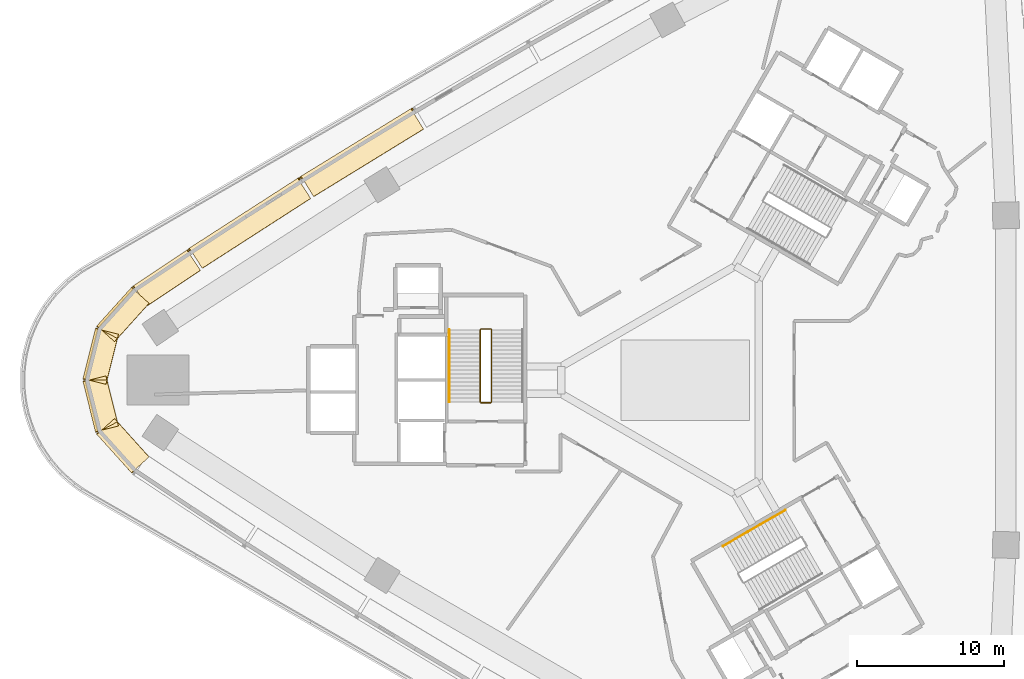
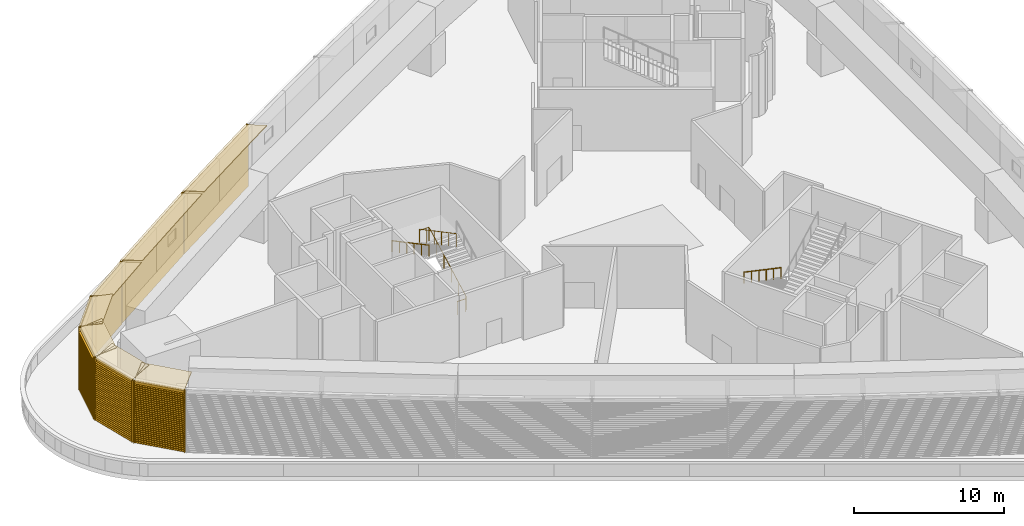
# One storey, part 9 of 11: 14 coverings, 3 railings.
"""IFC4 building model written with IfcOpenShell, lengths in metres."""

import ifcopenshell
import ifcopenshell.guid

model = None  # the IFC model being written
_history = None  # IfcOwnerHistory: only IFC2X3 demands one
_inside = {}  # id of a spatial element -> (the spatial element, [elements in it])
_under = {}  # id of a project, library or spatial element -> (it, [spatial elements below it])
_declared = {}  # id of a project -> (the project, [libraries it declares])
_typed = {}  # id of a type object -> (the type object, [elements of that type])
_made_of = {}  # id of a material, layer set ... -> (it, [elements and type objects made of it])


def new_model(schema):
    """Start an empty IFC model of exactly this schema.

    Asked for "IFC4X3", IfcOpenShell would pick the latest addendum, in which some entities
    have other attributes; the version numbers below select the first issue.
    IFC2X3 requires an IfcOwnerHistory on every rooted entity: one is made here for all.
    """
    global model, _history
    if schema == "IFC4X3":
        model = ifcopenshell.file(schema_version=(4, 3, 0, 0))
    else:
        model = ifcopenshell.file(schema=schema)
    _inside.clear()
    _under.clear()
    _declared.clear()
    _typed.clear()
    _made_of.clear()
    _history = None
    if model.schema == "IFC2X3":
        org = make("IfcOrganization", Name="unknown")
        user = make(
            "IfcPersonAndOrganization",
            ThePerson=make("IfcPerson", FamilyName="unknown"),
            TheOrganization=org,
        )
        app = make(
            "IfcApplication",
            ApplicationDeveloper=org,
            Version="unknown",
            ApplicationFullName="unknown",
            ApplicationIdentifier="unknown",
        )
        _history = make(
            "IfcOwnerHistory",
            OwningUser=user,
            OwningApplication=app,
            ChangeAction="ADDED",
            CreationDate=0,
        )
    return model


def make(cls, **values):
    """One entity of the class cls with the attributes given. An attribute that is None is left unset."""
    return model.create_entity(
        cls, **{name: value for name, value in values.items() if value is not None}
    )


def rooted(cls, **values):
    """An entity with a GlobalId (a new one), such as an element, a storey or a relation."""
    return make(cls, GlobalId=ifcopenshell.guid.new(), OwnerHistory=_history, **values)


def si_unit(unit_type, name, prefix=None):
    """IfcSIUnit, for example si_unit("LENGTHUNIT", "METRE", prefix="MILLI")."""
    return make("IfcSIUnit", UnitType=unit_type, Prefix=prefix, Name=name)


def assignment(units):
    """IfcUnitAssignment: the units of a project."""
    return None if units is None else make("IfcUnitAssignment", Units=units)


def point(xyz):
    """IfcCartesianPoint."""
    return None if xyz is None else make("IfcCartesianPoint", Coordinates=xyz)


def direction(xyz):
    """IfcDirection."""
    return None if xyz is None else make("IfcDirection", DirectionRatios=xyz)


def frame(location, z_axis=None, x_axis=None):
    """IfcAxis2Placement3D, a coordinate frame: its origin and axes. An axis left out is left unset."""
    return make(
        "IfcAxis2Placement3D",
        Location=point(location),
        Axis=direction(z_axis),
        RefDirection=direction(x_axis),
    )


def frame_2d(location, x_axis=None):
    """IfcAxis2Placement2D, a coordinate frame in the plane: its origin and x axis."""
    return make(
        "IfcAxis2Placement2D", Location=point(location), RefDirection=direction(x_axis)
    )


def origin():
    """The frame at (0, 0, 0) with its axes left unset."""
    return frame((0.0, 0.0, 0.0))


def origin_2d():
    """The frame at (0, 0) in the plane with its x axis left unset."""
    return frame_2d((0.0, 0.0))


def place(relative_to, where):
    """IfcLocalPlacement: puts the frame where relative to a parent placement (None: the world)."""
    return make(
        "IfcLocalPlacement", PlacementRelTo=relative_to, RelativePlacement=where
    )


def context(
    kind, dimensions, precision=None, world=None, true_north=None, identifier=None
):
    """IfcGeometricRepresentationContext, for example the 3D "Model" context."""
    return make(
        "IfcGeometricRepresentationContext",
        ContextIdentifier=identifier,
        ContextType=kind,
        CoordinateSpaceDimension=dimensions,
        Precision=precision,
        WorldCoordinateSystem=world,
        TrueNorth=true_north,
    )


def subcontext(parent, identifier, kind, view, scale=None):
    """IfcGeometricRepresentationSubContext, for example "Body" below "Model"."""
    return make(
        "IfcGeometricRepresentationSubContext",
        ContextIdentifier=identifier,
        ContextType=kind,
        ParentContext=parent,
        TargetScale=scale,
        TargetView=view,
    )


def project(units=None, contexts=None):
    """IfcProject with its units and contexts."""
    return rooted(
        "IfcProject",
        Name="project",
        RepresentationContexts=contexts,
        UnitsInContext=assignment(units),
    )


def spatial(cls, under=None, at=None, **own):
    """A site, building, storey or space (cls), placed at a placement, below another one or the project."""
    s = rooted(cls, ObjectPlacement=at, **own)
    if under is not None:
        _under.setdefault(under.id(), (under, []))[1].append(s)
    return s


def profile(cls, at=None, kind="AREA", **sizes):
    """A parametric profile (cls). Its sizes go by their IFC names, for example OverallWidth=200.0."""
    return make(cls, ProfileType=kind, Position=at, **sizes)


def rectangle(**sizes):
    """IfcRectangleProfileDef."""
    return profile("IfcRectangleProfileDef", **sizes)


def circle(**sizes):
    """IfcCircleProfileDef."""
    return profile("IfcCircleProfileDef", **sizes)


def extrude(swept, where, along, depth):
    """IfcExtrudedAreaSolid: the profile swept, set in the frame where, extruded along a direction by depth."""
    return make(
        "IfcExtrudedAreaSolid",
        SweptArea=swept,
        Position=where,
        ExtrudedDirection=direction(along),
        Depth=depth,
    )


def shape(context_of_items, identifier, shape_type, items):
    """IfcShapeRepresentation: the items that make up one representation, for example the "Body"."""
    return make(
        "IfcShapeRepresentation",
        ContextOfItems=context_of_items,
        RepresentationIdentifier=identifier,
        RepresentationType=shape_type,
        Items=items,
    )


def source(mapping_origin, context_of_items, identifier, shape_type, items):
    """IfcRepresentationMap: a shape defined once, which mapped items show again and again."""
    return make(
        "IfcRepresentationMap",
        MappingOrigin=mapping_origin,
        MappedRepresentation=shape(context_of_items, identifier, shape_type, items),
    )


def transform(
    local_origin,
    x_axis=None,
    y_axis=None,
    z_axis=None,
    scale=None,
    scale2=None,
    scale3=None,
    uniform=True,
):
    """IfcCartesianTransformationOperator3D, or its non-uniform kind. x_axis, y_axis, z_axis: its Axis1, 2, 3."""
    if uniform:
        return make(
            "IfcCartesianTransformationOperator3D",
            Axis1=direction(x_axis),
            Axis2=direction(y_axis),
            LocalOrigin=point(local_origin),
            Scale=scale,
            Axis3=direction(z_axis),
        )
    return make(
        "IfcCartesianTransformationOperator3DnonUniform",
        Axis1=direction(x_axis),
        Axis2=direction(y_axis),
        LocalOrigin=point(local_origin),
        Scale=scale,
        Axis3=direction(z_axis),
        Scale2=scale2,
        Scale3=scale3,
    )


def mapped(mapping_source, mapping_target):
    """IfcMappedItem: shows the shape of a source again, moved by a transform."""
    return make(
        "IfcMappedItem", MappingSource=mapping_source, MappingTarget=mapping_target
    )


def material(Name=None, Category=None):
    """IfcMaterial."""
    return make("IfcMaterial", Name=Name, Category=Category)


def layer(
    of_material, thickness, ventilated=None, Name=None, Category=None, Priority=None
):
    """IfcMaterialLayer: one layer of a wall or slab, of a material (None: an air gap)."""
    return make(
        "IfcMaterialLayer",
        Material=of_material,
        LayerThickness=thickness,
        IsVentilated=ventilated,
        Name=Name,
        Category=Category,
        Priority=Priority,
    )


def layer_set(layers, Name=None):
    """IfcMaterialLayerSet."""
    return make("IfcMaterialLayerSet", MaterialLayers=layers, LayerSetName=Name)


def made_of(thing, what):
    """Note that an element or type object is made of a material, layer set ...; save() writes the relation."""
    if what is not None:
        _made_of.setdefault(what.id(), (what, []))[1].append(thing)
    return thing


def type_object(cls, material=None, **own):
    """A type object (cls), such as IfcWallType, which elements share."""
    return made_of(rooted(cls, **own), material)


def element(
    cls,
    number,
    at=None,
    inside=None,
    cuts=None,
    type_object=None,
    material=None,
    context=None,
    identifier="Body",
    shape_type=None,
    held_by="IfcProductDefinitionShape",
    body=None,
    shapes=None,
    **own,
):
    """One element of the class cls, such as IfcWall. Its Tag is "e" and its number.

    at: its placement. inside: the storey or other place that contains it. cuts: it is an
    opening in that element (IfcRelVoidsElement). A single representation is given by context,
    identifier, shape_type and body (its items); several are given by shapes. held_by: the class
    of the entity that holds the representations. save() writes the other relations.
    """
    e = rooted(cls, Tag="e%d" % number, ObjectPlacement=at, **own)
    if body is not None:
        shapes = [shape(context, identifier, shape_type, body)]
    if shapes is not None:
        e.Representation = make(held_by, Representations=shapes)
    if inside is not None:
        _inside.setdefault(inside.id(), (inside, []))[1].append(e)
    if cuts is not None:
        rooted(
            "IfcRelVoidsElement", RelatingBuildingElement=cuts, RelatedOpeningElement=e
        )
    if type_object is not None:
        _typed.setdefault(type_object.id(), (type_object, []))[1].append(e)
    return made_of(e, material)


def aggregate(whole, parts):
    """IfcRelAggregates: a whole, such as a stair, and the parts it consists of."""
    return rooted("IfcRelAggregates", RelatingObject=whole, RelatedObjects=parts)


def save(model, path):
    """Write the relations noted so far, then the file.

    IfcRelAggregates (storeys below a building ...), IfcRelContainedInSpatialStructure (elements
    in a storey), IfcRelDefinesByType, IfcRelAssociatesMaterial and IfcRelDeclares: one each for
    every whole, place, type object, material and project.
    """
    for whole, parts in _under.values():
        aggregate(whole, parts)
    for where, things in _inside.values():
        rooted(
            "IfcRelContainedInSpatialStructure",
            RelatedElements=things,
            RelatingStructure=where,
        )
    for kind, things in _typed.values():
        rooted("IfcRelDefinesByType", RelatedObjects=things, RelatingType=kind)
    for what, things in _made_of.values():
        rooted("IfcRelAssociatesMaterial", RelatedObjects=things, RelatingMaterial=what)
    for by, libraries in _declared.values():
        rooted("IfcRelDeclares", RelatingContext=by, RelatedDefinitions=libraries)
    model.write(path)


model = new_model("IFC4")

# Units and contexts
model_context = context("Model", 3, precision=1e-05, world=origin(), true_north=direction((0.0, 1.0)))
body_context = subcontext(model_context, "Body", "Model", "MODEL_VIEW")
ifc_project = project(units=[si_unit("LENGTHUNIT", "METRE"), si_unit("AREAUNIT", "SQUARE_METRE"), si_unit("VOLUMEUNIT", "CUBIC_METRE"), si_unit("PLANEANGLEUNIT", "RADIAN"), si_unit("MASSUNIT", "GRAM", prefix="KILO")], contexts=[model_context])

# Site, building, storey
site_placement = place(None, origin())
site = spatial("IfcSite", under=ifc_project, at=site_placement, CompositionType="ELEMENT")
building_placement = place(site_placement, origin())
building = spatial("IfcBuilding", under=site, at=building_placement, Name="Tamra Quay Hotel Tower", CompositionType="ELEMENT")
storey_placement = place(building_placement, frame((0.0, 0.0, 29.5)))
storey = spatial("IfcBuildingStorey", under=building, at=storey_placement, Name="L05", CompositionType="ELEMENT", Elevation=29.5)

# Railings
ifc_material_1 = material(Name="Stair guard 1100")
railing_type_1 = type_object("IfcRailingType", Name="Stair guard 1100", PredefinedType="GUARDRAIL", material=ifc_material_1)
railing_1_placement = place(storey_placement, frame((-13.84130859375, -1.530029296875, 0.0)))
element("IfcRailing", 1, at=railing_1_placement, inside=storey, type_object=railing_type_1, Name="GR", PredefinedType="GUARDRAIL", context=body_context, shape_type="SweptSolid", body=[
    extrude(circle(Radius=0.02392578125, at=origin_2d()), frame((0.0, 0.0, 1.076171875), z_axis=(1.0, 0.0, 0.0), x_axis=(0.0, 1.0, 0.0)), (0.0, 0.0, 1.0), 0.658935546875),
    extrude(circle(Radius=0.02392578125, at=origin_2d()), frame((0.658935546875, 0.0, 1.076171875), z_axis=(0.310570770478, 0.310570770478, 0.898382765334), x_axis=(-0.707106781187, 0.707106781187, 0.0)), (0.0, 0.0, 1.0), 0.1611328125),
    extrude(circle(Radius=0.02392578125, at=origin_2d()), frame((0.708984375, 0.050048828125, 1.220703125), z_axis=(0.0, 0.882799760864, 0.469749488789), x_axis=(-1.0, 0.0, 0.0)), (0.0, 0.0, 1.0), 5.5458984375),
    extrude(circle(Radius=0.02392578125, at=origin_2d()), frame((0.708984375, 4.946044921875, 3.826171875), z_axis=(-0.708833529934, 0.705375805398, 0.0), x_axis=(-0.705375805398, -0.708833529934, 0.0)), (0.0, 0.0, 1.0), 0.070556640625),
    extrude(circle(Radius=0.02392578125, at=origin_2d()), frame((0.658935546875, 4.995849609375, 3.826171875), z_axis=(-1.0, 0.0, 0.0), x_axis=(0.0, -1.0, 0.0)), (0.0, 0.0, 1.0), 0.658935546875),
    extrude(circle(Radius=0.02392578125, at=origin_2d()), frame((0.0, 4.995849609375, 3.826171875), z_axis=(-0.310716642909, -0.309200951968, 0.898804728026), x_axis=(0.705375805398, -0.708833529934, 0.0)), (0.0, 0.0, 1.0), 0.1611328125),
    extrude(circle(Radius=0.02392578125, at=origin_2d()), frame((-0.050048828125, 4.946044921875, 3.970703125), z_axis=(0.0, -0.882799760864, 0.469749488789), x_axis=(1.0, 0.0, 0.0)), (0.0, 0.0, 1.0), 5.5458984375),
    extrude(circle(Radius=0.02099609375, at=origin_2d()), origin(), (0.0, 0.0, 1.0), 1.052001953125),
    extrude(circle(Radius=0.02099609375, at=origin_2d()), frame((0.658935546875, 0.0, 0.0)), (0.0, 0.0, 1.0), 1.052001953125),
    extrude(circle(Radius=0.02099609375, at=origin_2d()), frame((0.708984375, 0.050048828125, 0.144775390625)), (0.0, 0.0, 1.0), 1.052001953125),
    extrude(circle(Radius=0.02099609375, at=origin_2d()), frame((0.708984375, 1.029296875, 0.665771484375)), (0.0, 0.0, 1.0), 1.052001953125),
    extrude(circle(Radius=0.02099609375, at=origin_2d()), frame((0.708984375, 2.008544921875, 1.186767578125)), (0.0, 0.0, 1.0), 1.052001953125),
    extrude(circle(Radius=0.02099609375, at=origin_2d()), frame((0.708984375, 2.987548828125, 1.7080078125)), (0.0, 0.0, 1.0), 1.052001953125),
    extrude(circle(Radius=0.02099609375, at=origin_2d()), frame((0.708984375, 3.966796875, 2.22900390625)), (0.0, 0.0, 1.0), 1.052001953125),
    extrude(circle(Radius=0.02099609375, at=origin_2d()), frame((0.708984375, 4.946044921875, 2.75)), (0.0, 0.0, 1.0), 1.052001953125),
    extrude(circle(Radius=0.02099609375, at=origin_2d()), frame((0.658935546875, 4.995849609375, 2.75)), (0.0, 0.0, 1.0), 1.052001953125),
    extrude(circle(Radius=0.02099609375, at=origin_2d()), frame((0.0, 4.995849609375, 2.75)), (0.0, 0.0, 1.0), 1.052001953125),
    extrude(circle(Radius=0.02099609375, at=origin_2d()), frame((-0.050048828125, 4.946044921875, 2.894775390625)), (0.0, 0.0, 1.0), 1.052001953125),
    extrude(circle(Radius=0.02099609375, at=origin_2d()), frame((-0.050048828125, 3.966796875, 3.415771484375)), (0.0, 0.0, 1.0), 1.052001953125),
    extrude(circle(Radius=0.02099609375, at=origin_2d()), frame((-0.050048828125, 2.987548828125, 3.936767578125)), (0.0, 0.0, 1.0), 1.052001953125),
    extrude(circle(Radius=0.02099609375, at=origin_2d()), frame((-0.050048828125, 2.008544921875, 4.4580078125)), (0.0, 0.0, 1.0), 1.052001953125),
    extrude(circle(Radius=0.02099609375, at=origin_2d()), frame((-0.050048828125, 1.029296875, 4.97900390625)), (0.0, 0.0, 1.0), 1.052001953125),
    extrude(circle(Radius=0.02099609375, at=origin_2d()), frame((-0.050048828125, 0.050048828125, 5.5)), (0.0, 0.0, 1.0), 1.052001953125),
])
ifc_material_2 = material(Name="Stair handrail 900")
railing_type_2 = type_object("IfcRailingType", Name="Stair handrail 900", PredefinedType="HANDRAIL", material=ifc_material_2)
railing_2_placement = place(storey_placement, frame((-15.9912109375, 3.416015625, 2.894775390625)))
element("IfcRailing", 2, at=railing_2_placement, inside=storey, type_object=railing_type_2, Name="HR", PredefinedType="HANDRAIL", context=body_context, shape_type="SweptSolid", body=[
    extrude(circle(Radius=0.02392578125, at=origin_2d()), frame((0.0, 0.0, 0.8759765625), z_axis=(0.0, -0.882799760864, 0.469749488789), x_axis=(1.0, 0.0, 0.0)), (0.0, 0.0, 1.0), 5.5458984375),
    extrude(circle(Radius=0.02099609375, at=origin_2d()), origin(), (0.0, 0.0, 1.0), 0.851806640625),
    extrude(circle(Radius=0.02099609375, at=origin_2d()), frame((0.0, -0.979248046875, 0.52099609375)), (0.0, 0.0, 1.0), 0.851806640625),
    extrude(circle(Radius=0.02099609375, at=origin_2d()), frame((0.0, -1.95849609375, 1.0419921875)), (0.0, 0.0, 1.0), 0.851806640625),
    extrude(circle(Radius=0.02099609375, at=origin_2d()), frame((0.0, -2.9375, 1.563232421875)), (0.0, 0.0, 1.0), 0.851806640625),
    extrude(circle(Radius=0.02099609375, at=origin_2d()), frame((0.0, -3.916748046875, 2.084228515625)), (0.0, 0.0, 1.0), 0.851806640625),
    extrude(circle(Radius=0.02099609375, at=origin_2d()), frame((0.0, -4.89599609375, 2.605224609375)), (0.0, 0.0, 1.0), 0.851806640625),
])
railing_3_placement = place(storey_placement, frame((6.7978515625, -8.814208984375, 0.144775390625)))
element("IfcRailing", 3, at=railing_3_placement, inside=storey, type_object=railing_type_2, Name="HR", PredefinedType="HANDRAIL", context=body_context, shape_type="SweptSolid", body=[
    extrude(circle(Radius=0.02392578125, at=origin_2d()), frame((0.0, 0.0, 0.8759765625), z_axis=(-0.764522017745, -0.441403942646, 0.469753811905), x_axis=(0.500005904428, -0.866021994834, 0.0)), (0.0, 0.0, 1.0), 5.5458984375),
    extrude(circle(Radius=0.02099609375, at=origin_2d()), origin(), (0.0, 0.0, 1.0), 0.851806640625),
    extrude(circle(Radius=0.02099609375, at=origin_2d()), frame((-0.847900390625, -0.489501953125, 0.52099609375)), (0.0, 0.0, 1.0), 0.851806640625),
    extrude(circle(Radius=0.02099609375, at=origin_2d()), frame((-1.696044921875, -0.979248046875, 1.0419921875)), (0.0, 0.0, 1.0), 0.851806640625),
    extrude(circle(Radius=0.02099609375, at=origin_2d()), frame((-2.5439453125, -1.46875, 1.563232421875)), (0.0, 0.0, 1.0), 0.851806640625),
    extrude(circle(Radius=0.02099609375, at=origin_2d()), frame((-3.39208984375, -1.95849609375, 2.084228515625)), (0.0, 0.0, 1.0), 0.851806640625),
    extrude(circle(Radius=0.02099609375, at=origin_2d()), frame((-4.239990234375, -2.447998046875, 2.605224609375)), (0.0, 0.0, 1.0), 0.851806640625),
])

# Coverings
ifc_material_3 = material(Name="Terracotta louvre panel", Category="masonry")
covering_type_1 = type_object("IfcCoveringType", Name="PLANT LOUVRE H5025", PredefinedType="USERDEFINED", material=ifc_material_3)
shared_shape_1 = source(origin(), body_context, "Body", "SweptSolid", [
    extrude(rectangle(XDim=8.97998046875, YDim=0.030029296875, at=frame_2d((4.489990234375, 0.01513671875))), frame((-4.489990234375, -0.030029296875, 0.0)), (0.0, 0.0, 1.0), 5.02490234375),
    extrude(rectangle(XDim=0.050048828125, YDim=0.139892578125, at=frame_2d((0.02490234375, 0.06982421875))), frame((-4.489990234375, -0.169921875, 0.0)), (0.0, 0.0, 1.0), 5.02490234375),
    extrude(rectangle(XDim=0.050048828125, YDim=0.139892578125, at=frame_2d((0.02490234375, 0.06982421875))), frame((4.43994140625, -0.169921875, 0.0)), (0.0, 0.0, 1.0), 5.02490234375),
    extrude(rectangle(XDim=8.8798828125, YDim=0.139892578125, at=frame_2d((4.43994140625, 0.06982421875))), frame((-4.43994140625, -0.169921875, 0.050048828125)), (0.0, 0.0, 1.0), 0.034912109375),
    extrude(rectangle(XDim=8.8798828125, YDim=0.139892578125, at=frame_2d((4.43994140625, 0.06982421875))), frame((-4.43994140625, -0.169921875, 0.2099609375)), (0.0, 0.0, 1.0), 0.034912109375),
    extrude(rectangle(XDim=8.8798828125, YDim=0.139892578125, at=frame_2d((4.43994140625, 0.06982421875))), frame((-4.43994140625, -0.169921875, 0.3701171875)), (0.0, 0.0, 1.0), 0.034912109375),
    extrude(rectangle(XDim=8.8798828125, YDim=0.139892578125, at=frame_2d((4.43994140625, 0.06982421875))), frame((-4.43994140625, -0.169921875, 0.530029296875)), (0.0, 0.0, 1.0), 0.034912109375),
    extrude(rectangle(XDim=8.8798828125, YDim=0.139892578125, at=frame_2d((4.43994140625, 0.06982421875))), frame((-4.43994140625, -0.169921875, 0.68994140625)), (0.0, 0.0, 1.0), 0.034912109375),
    extrude(rectangle(XDim=8.8798828125, YDim=0.139892578125, at=frame_2d((4.43994140625, 0.06982421875))), frame((-4.43994140625, -0.169921875, 0.85009765625)), (0.0, 0.0, 1.0), 0.034912109375),
    extrude(rectangle(XDim=8.8798828125, YDim=0.139892578125, at=frame_2d((4.43994140625, 0.06982421875))), frame((-4.43994140625, -0.169921875, 1.010009765625)), (0.0, 0.0, 1.0), 0.034912109375),
    extrude(rectangle(XDim=8.8798828125, YDim=0.139892578125, at=frame_2d((4.43994140625, 0.06982421875))), frame((-4.43994140625, -0.169921875, 1.169921875)), (0.0, 0.0, 1.0), 0.034912109375),
    extrude(rectangle(XDim=8.8798828125, YDim=0.139892578125, at=frame_2d((4.43994140625, 0.06982421875))), frame((-4.43994140625, -0.169921875, 1.330078125)), (0.0, 0.0, 1.0), 0.034912109375),
    extrude(rectangle(XDim=8.8798828125, YDim=0.139892578125, at=frame_2d((4.43994140625, 0.06982421875))), frame((-4.43994140625, -0.169921875, 1.489990234375)), (0.0, 0.0, 1.0), 0.034912109375),
    extrude(rectangle(XDim=8.8798828125, YDim=0.139892578125, at=frame_2d((4.43994140625, 0.06982421875))), frame((-4.43994140625, -0.169921875, 1.64990234375)), (0.0, 0.0, 1.0), 0.034912109375),
    extrude(rectangle(XDim=8.8798828125, YDim=0.139892578125, at=frame_2d((4.43994140625, 0.06982421875))), frame((-4.43994140625, -0.169921875, 1.81005859375)), (0.0, 0.0, 1.0), 0.034912109375),
    extrude(rectangle(XDim=8.8798828125, YDim=0.139892578125, at=frame_2d((4.43994140625, 0.06982421875))), frame((-4.43994140625, -0.169921875, 1.969970703125)), (0.0, 0.0, 1.0), 0.034912109375),
    extrude(rectangle(XDim=8.8798828125, YDim=0.139892578125, at=frame_2d((4.43994140625, 0.06982421875))), frame((-4.43994140625, -0.169921875, 2.1298828125)), (0.0, 0.0, 1.0), 0.034912109375),
    extrude(rectangle(XDim=8.8798828125, YDim=0.139892578125, at=frame_2d((4.43994140625, 0.06982421875))), frame((-4.43994140625, -0.169921875, 2.2900390625)), (0.0, 0.0, 1.0), 0.034912109375),
    extrude(rectangle(XDim=8.8798828125, YDim=0.139892578125, at=frame_2d((4.43994140625, 0.06982421875))), frame((-4.43994140625, -0.169921875, 2.449951171875)), (0.0, 0.0, 1.0), 0.034912109375),
    extrude(rectangle(XDim=8.8798828125, YDim=0.139892578125, at=frame_2d((4.43994140625, 0.06982421875))), frame((-4.43994140625, -0.169921875, 2.610107421875)), (0.0, 0.0, 1.0), 0.034912109375),
    extrude(rectangle(XDim=8.8798828125, YDim=0.139892578125, at=frame_2d((4.43994140625, 0.06982421875))), frame((-4.43994140625, -0.169921875, 2.77001953125)), (0.0, 0.0, 1.0), 0.034912109375),
    extrude(rectangle(XDim=8.8798828125, YDim=0.139892578125, at=frame_2d((4.43994140625, 0.06982421875))), frame((-4.43994140625, -0.169921875, 2.929931640625)), (0.0, 0.0, 1.0), 0.034912109375),
    extrude(rectangle(XDim=8.8798828125, YDim=0.139892578125, at=frame_2d((4.43994140625, 0.06982421875))), frame((-4.43994140625, -0.169921875, 3.090087890625)), (0.0, 0.0, 1.0), 0.034912109375),
    extrude(rectangle(XDim=8.8798828125, YDim=0.139892578125, at=frame_2d((4.43994140625, 0.06982421875))), frame((-4.43994140625, -0.169921875, 3.25)), (0.0, 0.0, 1.0), 0.034912109375),
    extrude(rectangle(XDim=8.8798828125, YDim=0.139892578125, at=frame_2d((4.43994140625, 0.06982421875))), frame((-4.43994140625, -0.169921875, 3.409912109375)), (0.0, 0.0, 1.0), 0.034912109375),
    extrude(rectangle(XDim=8.8798828125, YDim=0.139892578125, at=frame_2d((4.43994140625, 0.06982421875))), frame((-4.43994140625, -0.169921875, 3.570068359375)), (0.0, 0.0, 1.0), 0.034912109375),
    extrude(rectangle(XDim=8.8798828125, YDim=0.139892578125, at=frame_2d((4.43994140625, 0.06982421875))), frame((-4.43994140625, -0.169921875, 3.72998046875)), (0.0, 0.0, 1.0), 0.034912109375),
    extrude(rectangle(XDim=8.8798828125, YDim=0.139892578125, at=frame_2d((4.43994140625, 0.06982421875))), frame((-4.43994140625, -0.169921875, 3.889892578125)), (0.0, 0.0, 1.0), 0.034912109375),
    extrude(rectangle(XDim=8.8798828125, YDim=0.139892578125, at=frame_2d((4.43994140625, 0.06982421875))), frame((-4.43994140625, -0.169921875, 4.050048828125)), (0.0, 0.0, 1.0), 0.034912109375),
    extrude(rectangle(XDim=8.8798828125, YDim=0.139892578125, at=frame_2d((4.43994140625, 0.06982421875))), frame((-4.43994140625, -0.169921875, 4.2099609375)), (0.0, 0.0, 1.0), 0.034912109375),
    extrude(rectangle(XDim=8.8798828125, YDim=0.139892578125, at=frame_2d((4.43994140625, 0.06982421875))), frame((-4.43994140625, -0.169921875, 4.3701171875)), (0.0, 0.0, 1.0), 0.034912109375),
    extrude(rectangle(XDim=8.8798828125, YDim=0.139892578125, at=frame_2d((4.43994140625, 0.06982421875))), frame((-4.43994140625, -0.169921875, 4.530029296875)), (0.0, 0.0, 1.0), 0.034912109375),
    extrude(rectangle(XDim=8.8798828125, YDim=0.139892578125, at=frame_2d((4.43994140625, 0.06982421875))), frame((-4.43994140625, -0.169921875, 4.68994140625)), (0.0, 0.0, 1.0), 0.034912109375),
])
for number, where, z_axis, x_axis, name in (
    (4, (-22.225830078125, 15.975341796875, 0.0), (0.0, 0.0, 1.0), (-0.852175578146, -0.523255945032, 0.0), "Plant louvre L05.NW.f08"),
    (5, (-29.85302734375, 11.177490234375, 0.0), (0.0, 0.0, 1.0), (-0.840661044643, -0.541561638246, 0.0), "Plant louvre L05.NW.f10"),
):
    element("IfcCovering", number, at=place(storey_placement, frame(where, z_axis=z_axis, x_axis=x_axis)), inside=storey, type_object=covering_type_1, Name=name, ObjectType="LOUVER", PredefinedType="USERDEFINED", context=body_context, shape_type="MappedRepresentation", body=[
        mapped(shared_shape_1, transform((0.0, 0.0, 0.0), scale=1.0)),
    ])
shared_shape_2 = source(origin(), body_context, "Body", "SweptSolid", [
    extrude(rectangle(XDim=4.47998046875, YDim=0.030029296875, at=frame_2d((2.239990234375, 0.01513671875))), frame((-2.239990234375, -0.030029296875, 0.0)), (0.0, 0.0, 1.0), 5.02490234375),
    extrude(rectangle(XDim=0.050048828125, YDim=0.139892578125, at=frame_2d((0.02490234375, 0.06982421875))), frame((-2.239990234375, -0.169921875, 0.0)), (0.0, 0.0, 1.0), 5.02490234375),
    extrude(rectangle(XDim=0.050048828125, YDim=0.139892578125, at=frame_2d((0.02490234375, 0.06982421875))), frame((2.18994140625, -0.169921875, 0.0)), (0.0, 0.0, 1.0), 5.02490234375),
    extrude(rectangle(XDim=4.3798828125, YDim=0.139892578125, at=frame_2d((2.18994140625, 0.06982421875))), frame((-2.18994140625, -0.169921875, 0.050048828125)), (0.0, 0.0, 1.0), 0.034912109375),
    extrude(rectangle(XDim=4.3798828125, YDim=0.139892578125, at=frame_2d((2.18994140625, 0.06982421875))), frame((-2.18994140625, -0.169921875, 0.2099609375)), (0.0, 0.0, 1.0), 0.034912109375),
    extrude(rectangle(XDim=4.3798828125, YDim=0.139892578125, at=frame_2d((2.18994140625, 0.06982421875))), frame((-2.18994140625, -0.169921875, 0.3701171875)), (0.0, 0.0, 1.0), 0.034912109375),
    extrude(rectangle(XDim=4.3798828125, YDim=0.139892578125, at=frame_2d((2.18994140625, 0.06982421875))), frame((-2.18994140625, -0.169921875, 0.530029296875)), (0.0, 0.0, 1.0), 0.034912109375),
    extrude(rectangle(XDim=4.3798828125, YDim=0.139892578125, at=frame_2d((2.18994140625, 0.06982421875))), frame((-2.18994140625, -0.169921875, 0.68994140625)), (0.0, 0.0, 1.0), 0.034912109375),
    extrude(rectangle(XDim=4.3798828125, YDim=0.139892578125, at=frame_2d((2.18994140625, 0.06982421875))), frame((-2.18994140625, -0.169921875, 0.85009765625)), (0.0, 0.0, 1.0), 0.034912109375),
    extrude(rectangle(XDim=4.3798828125, YDim=0.139892578125, at=frame_2d((2.18994140625, 0.06982421875))), frame((-2.18994140625, -0.169921875, 1.010009765625)), (0.0, 0.0, 1.0), 0.034912109375),
    extrude(rectangle(XDim=4.3798828125, YDim=0.139892578125, at=frame_2d((2.18994140625, 0.06982421875))), frame((-2.18994140625, -0.169921875, 1.169921875)), (0.0, 0.0, 1.0), 0.034912109375),
    extrude(rectangle(XDim=4.3798828125, YDim=0.139892578125, at=frame_2d((2.18994140625, 0.06982421875))), frame((-2.18994140625, -0.169921875, 1.330078125)), (0.0, 0.0, 1.0), 0.034912109375),
    extrude(rectangle(XDim=4.3798828125, YDim=0.139892578125, at=frame_2d((2.18994140625, 0.06982421875))), frame((-2.18994140625, -0.169921875, 1.489990234375)), (0.0, 0.0, 1.0), 0.034912109375),
    extrude(rectangle(XDim=4.3798828125, YDim=0.139892578125, at=frame_2d((2.18994140625, 0.06982421875))), frame((-2.18994140625, -0.169921875, 1.64990234375)), (0.0, 0.0, 1.0), 0.034912109375),
    extrude(rectangle(XDim=4.3798828125, YDim=0.139892578125, at=frame_2d((2.18994140625, 0.06982421875))), frame((-2.18994140625, -0.169921875, 1.81005859375)), (0.0, 0.0, 1.0), 0.034912109375),
    extrude(rectangle(XDim=4.3798828125, YDim=0.139892578125, at=frame_2d((2.18994140625, 0.06982421875))), frame((-2.18994140625, -0.169921875, 1.969970703125)), (0.0, 0.0, 1.0), 0.034912109375),
    extrude(rectangle(XDim=4.3798828125, YDim=0.139892578125, at=frame_2d((2.18994140625, 0.06982421875))), frame((-2.18994140625, -0.169921875, 2.1298828125)), (0.0, 0.0, 1.0), 0.034912109375),
    extrude(rectangle(XDim=4.3798828125, YDim=0.139892578125, at=frame_2d((2.18994140625, 0.06982421875))), frame((-2.18994140625, -0.169921875, 2.2900390625)), (0.0, 0.0, 1.0), 0.034912109375),
    extrude(rectangle(XDim=4.3798828125, YDim=0.139892578125, at=frame_2d((2.18994140625, 0.06982421875))), frame((-2.18994140625, -0.169921875, 2.449951171875)), (0.0, 0.0, 1.0), 0.034912109375),
    extrude(rectangle(XDim=4.3798828125, YDim=0.139892578125, at=frame_2d((2.18994140625, 0.06982421875))), frame((-2.18994140625, -0.169921875, 2.610107421875)), (0.0, 0.0, 1.0), 0.034912109375),
    extrude(rectangle(XDim=4.3798828125, YDim=0.139892578125, at=frame_2d((2.18994140625, 0.06982421875))), frame((-2.18994140625, -0.169921875, 2.77001953125)), (0.0, 0.0, 1.0), 0.034912109375),
    extrude(rectangle(XDim=4.3798828125, YDim=0.139892578125, at=frame_2d((2.18994140625, 0.06982421875))), frame((-2.18994140625, -0.169921875, 2.929931640625)), (0.0, 0.0, 1.0), 0.034912109375),
    extrude(rectangle(XDim=4.3798828125, YDim=0.139892578125, at=frame_2d((2.18994140625, 0.06982421875))), frame((-2.18994140625, -0.169921875, 3.090087890625)), (0.0, 0.0, 1.0), 0.034912109375),
    extrude(rectangle(XDim=4.3798828125, YDim=0.139892578125, at=frame_2d((2.18994140625, 0.06982421875))), frame((-2.18994140625, -0.169921875, 3.25)), (0.0, 0.0, 1.0), 0.034912109375),
    extrude(rectangle(XDim=4.3798828125, YDim=0.139892578125, at=frame_2d((2.18994140625, 0.06982421875))), frame((-2.18994140625, -0.169921875, 3.409912109375)), (0.0, 0.0, 1.0), 0.034912109375),
    extrude(rectangle(XDim=4.3798828125, YDim=0.139892578125, at=frame_2d((2.18994140625, 0.06982421875))), frame((-2.18994140625, -0.169921875, 3.570068359375)), (0.0, 0.0, 1.0), 0.034912109375),
    extrude(rectangle(XDim=4.3798828125, YDim=0.139892578125, at=frame_2d((2.18994140625, 0.06982421875))), frame((-2.18994140625, -0.169921875, 3.72998046875)), (0.0, 0.0, 1.0), 0.034912109375),
    extrude(rectangle(XDim=4.3798828125, YDim=0.139892578125, at=frame_2d((2.18994140625, 0.06982421875))), frame((-2.18994140625, -0.169921875, 3.889892578125)), (0.0, 0.0, 1.0), 0.034912109375),
    extrude(rectangle(XDim=4.3798828125, YDim=0.139892578125, at=frame_2d((2.18994140625, 0.06982421875))), frame((-2.18994140625, -0.169921875, 4.050048828125)), (0.0, 0.0, 1.0), 0.034912109375),
    extrude(rectangle(XDim=4.3798828125, YDim=0.139892578125, at=frame_2d((2.18994140625, 0.06982421875))), frame((-2.18994140625, -0.169921875, 4.2099609375)), (0.0, 0.0, 1.0), 0.034912109375),
    extrude(rectangle(XDim=4.3798828125, YDim=0.139892578125, at=frame_2d((2.18994140625, 0.06982421875))), frame((-2.18994140625, -0.169921875, 4.3701171875)), (0.0, 0.0, 1.0), 0.034912109375),
    extrude(rectangle(XDim=4.3798828125, YDim=0.139892578125, at=frame_2d((2.18994140625, 0.06982421875))), frame((-2.18994140625, -0.169921875, 4.530029296875)), (0.0, 0.0, 1.0), 0.034912109375),
    extrude(rectangle(XDim=4.3798828125, YDim=0.139892578125, at=frame_2d((2.18994140625, 0.06982421875))), frame((-2.18994140625, -0.169921875, 4.68994140625)), (0.0, 0.0, 1.0), 0.034912109375),
])
covering_1_placement = place(storey_placement, frame((-35.500244140625, 7.467529296875, 0.0), z_axis=(0.0, 0.0, 1.0), x_axis=(-0.831798010111, -0.555078436237, 0.0)))
element("IfcCovering", 6, at=covering_1_placement, inside=storey, type_object=covering_type_1, Name="Plant louvre L05.NW.f12", ObjectType="LOUVER", PredefinedType="USERDEFINED", context=body_context, shape_type="MappedRepresentation", body=[
    mapped(shared_shape_2, transform((0.0, 0.0, 0.0), scale=1.0)),
])
shared_shape_3 = source(origin(), body_context, "Body", "SweptSolid", [
    extrude(rectangle(XDim=3.60009765625, YDim=0.030029296875, at=frame_2d((1.800048828125, 0.01513671875))), frame((-1.800048828125, -0.030029296875, 0.0)), (0.0, 0.0, 1.0), 5.02490234375),
    extrude(rectangle(XDim=0.050048828125, YDim=0.139892578125, at=frame_2d((0.02490234375, 0.06982421875))), frame((-1.800048828125, -0.169921875, 0.0)), (0.0, 0.0, 1.0), 5.02490234375),
    extrude(rectangle(XDim=0.050048828125, YDim=0.139892578125, at=frame_2d((0.02490234375, 0.06982421875))), frame((1.75, -0.169921875, 0.0)), (0.0, 0.0, 1.0), 5.02490234375),
    extrude(rectangle(XDim=3.5, YDim=0.139892578125, at=frame_2d((1.75, 0.06982421875))), frame((-1.75, -0.169921875, 0.050048828125)), (0.0, 0.0, 1.0), 0.034912109375),
    extrude(rectangle(XDim=3.5, YDim=0.139892578125, at=frame_2d((1.75, 0.06982421875))), frame((-1.75, -0.169921875, 0.2099609375)), (0.0, 0.0, 1.0), 0.034912109375),
    extrude(rectangle(XDim=3.5, YDim=0.139892578125, at=frame_2d((1.75, 0.06982421875))), frame((-1.75, -0.169921875, 0.3701171875)), (0.0, 0.0, 1.0), 0.034912109375),
    extrude(rectangle(XDim=3.5, YDim=0.139892578125, at=frame_2d((1.75, 0.06982421875))), frame((-1.75, -0.169921875, 0.530029296875)), (0.0, 0.0, 1.0), 0.034912109375),
    extrude(rectangle(XDim=3.5, YDim=0.139892578125, at=frame_2d((1.75, 0.06982421875))), frame((-1.75, -0.169921875, 0.68994140625)), (0.0, 0.0, 1.0), 0.034912109375),
    extrude(rectangle(XDim=3.5, YDim=0.139892578125, at=frame_2d((1.75, 0.06982421875))), frame((-1.75, -0.169921875, 0.85009765625)), (0.0, 0.0, 1.0), 0.034912109375),
    extrude(rectangle(XDim=3.5, YDim=0.139892578125, at=frame_2d((1.75, 0.06982421875))), frame((-1.75, -0.169921875, 1.010009765625)), (0.0, 0.0, 1.0), 0.034912109375),
    extrude(rectangle(XDim=3.5, YDim=0.139892578125, at=frame_2d((1.75, 0.06982421875))), frame((-1.75, -0.169921875, 1.169921875)), (0.0, 0.0, 1.0), 0.034912109375),
    extrude(rectangle(XDim=3.5, YDim=0.139892578125, at=frame_2d((1.75, 0.06982421875))), frame((-1.75, -0.169921875, 1.330078125)), (0.0, 0.0, 1.0), 0.034912109375),
    extrude(rectangle(XDim=3.5, YDim=0.139892578125, at=frame_2d((1.75, 0.06982421875))), frame((-1.75, -0.169921875, 1.489990234375)), (0.0, 0.0, 1.0), 0.034912109375),
    extrude(rectangle(XDim=3.5, YDim=0.139892578125, at=frame_2d((1.75, 0.06982421875))), frame((-1.75, -0.169921875, 1.64990234375)), (0.0, 0.0, 1.0), 0.034912109375),
    extrude(rectangle(XDim=3.5, YDim=0.139892578125, at=frame_2d((1.75, 0.06982421875))), frame((-1.75, -0.169921875, 1.81005859375)), (0.0, 0.0, 1.0), 0.034912109375),
    extrude(rectangle(XDim=3.5, YDim=0.139892578125, at=frame_2d((1.75, 0.06982421875))), frame((-1.75, -0.169921875, 1.969970703125)), (0.0, 0.0, 1.0), 0.034912109375),
    extrude(rectangle(XDim=3.5, YDim=0.139892578125, at=frame_2d((1.75, 0.06982421875))), frame((-1.75, -0.169921875, 2.1298828125)), (0.0, 0.0, 1.0), 0.034912109375),
    extrude(rectangle(XDim=3.5, YDim=0.139892578125, at=frame_2d((1.75, 0.06982421875))), frame((-1.75, -0.169921875, 2.2900390625)), (0.0, 0.0, 1.0), 0.034912109375),
    extrude(rectangle(XDim=3.5, YDim=0.139892578125, at=frame_2d((1.75, 0.06982421875))), frame((-1.75, -0.169921875, 2.449951171875)), (0.0, 0.0, 1.0), 0.034912109375),
    extrude(rectangle(XDim=3.5, YDim=0.139892578125, at=frame_2d((1.75, 0.06982421875))), frame((-1.75, -0.169921875, 2.610107421875)), (0.0, 0.0, 1.0), 0.034912109375),
    extrude(rectangle(XDim=3.5, YDim=0.139892578125, at=frame_2d((1.75, 0.06982421875))), frame((-1.75, -0.169921875, 2.77001953125)), (0.0, 0.0, 1.0), 0.034912109375),
    extrude(rectangle(XDim=3.5, YDim=0.139892578125, at=frame_2d((1.75, 0.06982421875))), frame((-1.75, -0.169921875, 2.929931640625)), (0.0, 0.0, 1.0), 0.034912109375),
    extrude(rectangle(XDim=3.5, YDim=0.139892578125, at=frame_2d((1.75, 0.06982421875))), frame((-1.75, -0.169921875, 3.090087890625)), (0.0, 0.0, 1.0), 0.034912109375),
    extrude(rectangle(XDim=3.5, YDim=0.139892578125, at=frame_2d((1.75, 0.06982421875))), frame((-1.75, -0.169921875, 3.25)), (0.0, 0.0, 1.0), 0.034912109375),
    extrude(rectangle(XDim=3.5, YDim=0.139892578125, at=frame_2d((1.75, 0.06982421875))), frame((-1.75, -0.169921875, 3.409912109375)), (0.0, 0.0, 1.0), 0.034912109375),
    extrude(rectangle(XDim=3.5, YDim=0.139892578125, at=frame_2d((1.75, 0.06982421875))), frame((-1.75, -0.169921875, 3.570068359375)), (0.0, 0.0, 1.0), 0.034912109375),
    extrude(rectangle(XDim=3.5, YDim=0.139892578125, at=frame_2d((1.75, 0.06982421875))), frame((-1.75, -0.169921875, 3.72998046875)), (0.0, 0.0, 1.0), 0.034912109375),
    extrude(rectangle(XDim=3.5, YDim=0.139892578125, at=frame_2d((1.75, 0.06982421875))), frame((-1.75, -0.169921875, 3.889892578125)), (0.0, 0.0, 1.0), 0.034912109375),
    extrude(rectangle(XDim=3.5, YDim=0.139892578125, at=frame_2d((1.75, 0.06982421875))), frame((-1.75, -0.169921875, 4.050048828125)), (0.0, 0.0, 1.0), 0.034912109375),
    extrude(rectangle(XDim=3.5, YDim=0.139892578125, at=frame_2d((1.75, 0.06982421875))), frame((-1.75, -0.169921875, 4.2099609375)), (0.0, 0.0, 1.0), 0.034912109375),
    extrude(rectangle(XDim=3.5, YDim=0.139892578125, at=frame_2d((1.75, 0.06982421875))), frame((-1.75, -0.169921875, 4.3701171875)), (0.0, 0.0, 1.0), 0.034912109375),
    extrude(rectangle(XDim=3.5, YDim=0.139892578125, at=frame_2d((1.75, 0.06982421875))), frame((-1.75, -0.169921875, 4.530029296875)), (0.0, 0.0, 1.0), 0.034912109375),
    extrude(rectangle(XDim=3.5, YDim=0.139892578125, at=frame_2d((1.75, 0.06982421875))), frame((-1.75, -0.169921875, 4.68994140625)), (0.0, 0.0, 1.0), 0.034912109375),
])
for number, where, z_axis, x_axis, name in (
    (7, (-38.587158203125, 4.869384765625, 0.0), (0.0, 0.0, 1.0), (-0.669112198553, -0.743161399527, 0.0), "Plant louvre L05.NW.c00"),
    (8, (-40.239990234375, 1.760498046875, 0.0), (0.0, 0.0, 1.0), (-0.241913884219, -0.970297723702, 0.0), "Plant louvre L05.NW.c01"),
    (9, (-40.239990234375, -1.760498046875, 0.0), (0.0, 0.0, 1.0), (0.24191388422, -0.970297723702, 0.0), "Plant louvre L05.NW.c02"),
    (10, (-38.587158203125, -4.869384765625, 0.0), (0.0, 0.0, 1.0), (0.669112198553, -0.743161399527, 0.0), "Plant louvre L05.NW.c03"),
):
    element("IfcCovering", number, at=place(storey_placement, frame(where, z_axis=z_axis, x_axis=x_axis)), inside=storey, type_object=covering_type_1, Name=name, ObjectType="LOUVER", PredefinedType="USERDEFINED", context=body_context, shape_type="MappedRepresentation", body=[
        mapped(shared_shape_3, transform((0.0, 0.0, 0.0), scale=1.0)),
    ])
ifc_material_4 = material(Name="Precast concrete M60 terracotta-coloured pierced relief", Category="masonry")
ifc_layer = layer(ifc_material_4, 0.06005859375)
ifc_layer_set = layer_set([ifc_layer], Name="RAKED RELIEF CAP 60")
covering_type_2 = type_object("IfcCoveringType", Name="RAKED RELIEF CAP 60", PredefinedType="CLADDING", material=ifc_layer_set)
shared_shape_4 = source(origin(), body_context, "Body", "SweptSolid", [
    extrude(rectangle(XDim=8.739990234375, YDim=1.68994140625, at=frame_2d((4.3701171875, 0.844970703125))), frame((-4.3701171875, 0.0, -0.06005859375)), (0.0, 0.0, 1.0), 0.06005859375),
])
for number, where, z_axis, x_axis, name in (
    (11, (-22.31494140625, 16.1201171875, 5.02490234375), (-0.147088410829, 0.239548451818, 0.959677830645), (-0.852175578146, -0.523255945032, 0.0), "Raked relief cap L05.9"),
    (12, (-29.945068359375, 11.320556640625, 5.02490234375), (-0.152225111007, 0.236297610101, 0.959682736658), (-0.840661044643, -0.541561638246, 0.0), "Raked relief cap L05.11"),
):
    element("IfcCovering", number, at=place(storey_placement, frame(where, z_axis=z_axis, x_axis=x_axis)), inside=storey, type_object=covering_type_2, Name=name, PredefinedType="CLADDING", context=body_context, shape_type="MappedRepresentation", body=[
        mapped(shared_shape_4, transform((0.0, 0.0, 0.0), scale=1.0)),
    ])
shared_shape_5 = source(origin(), body_context, "Body", "SweptSolid", [
    extrude(rectangle(XDim=4.360107421875, YDim=1.712890625, at=frame_2d((2.18017578125, 0.8564453125))), frame((-2.179931640625, 0.0, -0.06005859375)), (0.0, 0.0, 1.0), 0.06005859375),
])
covering_2_placement = place(storey_placement, frame((-35.594482421875, 7.60888671875, 5.02490234375), z_axis=(-0.153903459959, 0.230627931813, 0.960793673002), x_axis=(-0.831798010111, -0.555078436237, 0.0)))
element("IfcCovering", 13, at=covering_2_placement, inside=storey, type_object=covering_type_2, Name="Raked relief cap L05.13", PredefinedType="CLADDING", context=body_context, shape_type="MappedRepresentation", body=[
    mapped(shared_shape_5, transform((0.0, 0.0, 0.0), scale=1.0)),
])
shared_shape_6 = source(origin(), body_context, "Body", "SweptSolid", [
    extrude(rectangle(XDim=3.5, YDim=1.6708984375, at=frame_2d((1.75, 0.83544921875))), frame((-1.75, 0.0, -0.06005859375)), (0.0, 0.0, 1.0), 0.06005859375),
])
for number, where, z_axis, x_axis, name in (
    (14, (-38.71337890625, 4.983154296875, 5.02490234375), (-0.211243345475, 0.19019488823, 0.958750308205), (-0.669112198553, -0.743161399527, 0.0), "Raked relief cap L05.1"),
    (15, (-40.405029296875, 1.801513671875, 5.02490234375), (-0.275806759328, 0.068763929682, 0.958750308205), (-0.241913884219, -0.970297723702, 0.0), "Raked relief cap L05.2"),
    (16, (-40.405029296875, -1.801513671875, 5.02490234375), (-0.275806759328, -0.068763929682, 0.958750308205), (0.24191388422, -0.970297723702, 0.0), "Raked relief cap L05.3"),
    (17, (-38.71337890625, -4.983154296875, 5.02490234375), (-0.211243345475, -0.19019488823, 0.958750308205), (0.669112198553, -0.743161399527, 0.0), "Raked relief cap L05.4"),
):
    element("IfcCovering", number, at=place(storey_placement, frame(where, z_axis=z_axis, x_axis=x_axis)), inside=storey, type_object=covering_type_2, Name=name, PredefinedType="CLADDING", context=body_context, shape_type="MappedRepresentation", body=[
        mapped(shared_shape_6, transform((0.0, 0.0, 0.0), scale=1.0)),
    ])

save(model, "model.ifc")
